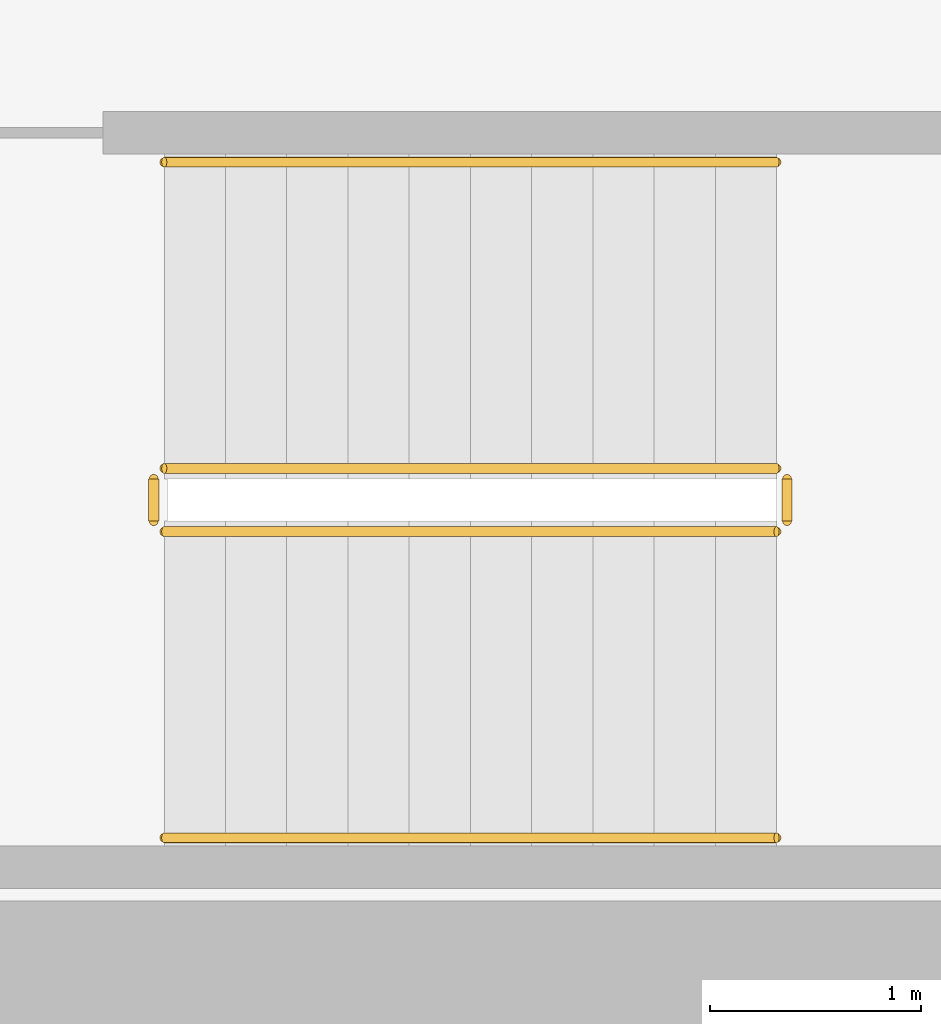
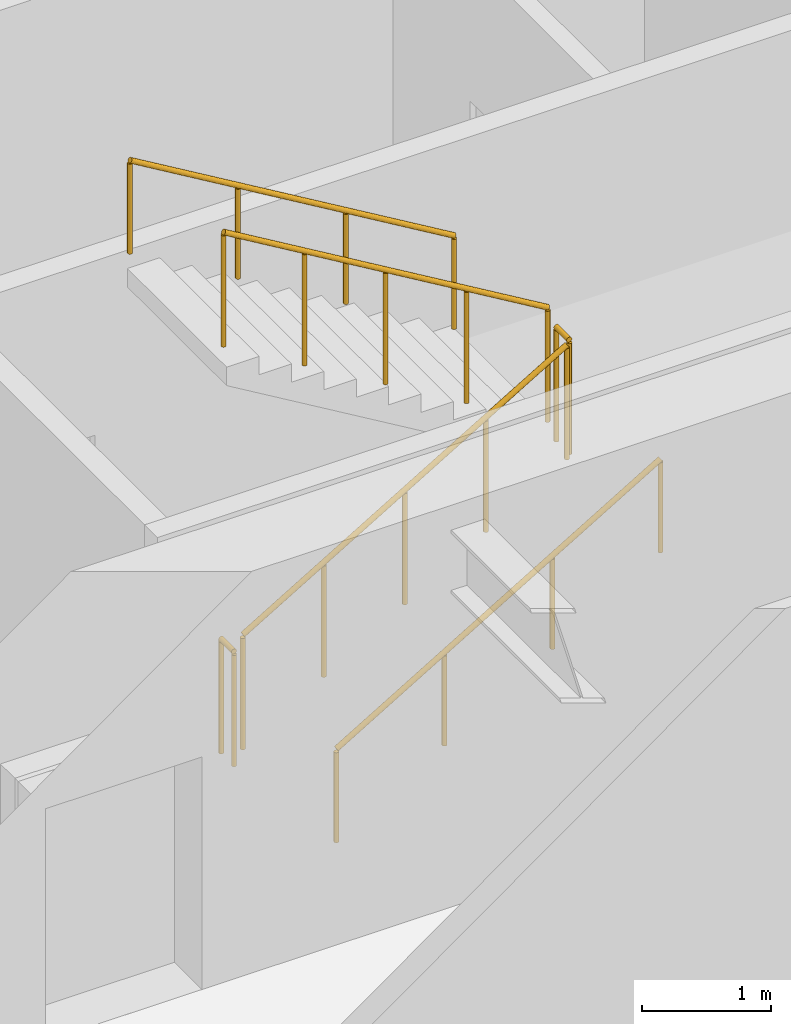
# One storey, part 19 of 20: 6 railings.
"""IFC4 building model written with IfcOpenShell, lengths in metres."""

from ifc_helpers import new_model, si_unit, direction, frame, origin, origin_2d, place, context, subcontext, project, spatial, circle, extrude, material, type_object, element, save


model = new_model("IFC4")

# Units and contexts
model_context = context("Model", 3, precision=1e-05, world=origin(), true_north=direction((0.0, 1.0)))
body_context = subcontext(model_context, "Body", "Model", "MODEL_VIEW")
ifc_project = project(units=[si_unit("LENGTHUNIT", "METRE"), si_unit("AREAUNIT", "SQUARE_METRE"), si_unit("VOLUMEUNIT", "CUBIC_METRE"), si_unit("PLANEANGLEUNIT", "RADIAN"), si_unit("MASSUNIT", "GRAM", prefix="KILO")], contexts=[model_context])

# Site, building, storey
site_placement = place(None, origin())
site = spatial("IfcSite", under=ifc_project, at=site_placement, CompositionType="ELEMENT")
building_placement = place(site_placement, origin())
building = spatial("IfcBuilding", under=site, at=building_placement, Name="Putna Gate Headquarters", CompositionType="ELEMENT")
storey_placement = place(building_placement, frame((0.0, 0.0, 89.800048828125)))
storey = spatial("IfcBuildingStorey", under=building, at=storey_placement, Name="L21", CompositionType="ELEMENT", Elevation=89.800048828125)

# Railings
ifc_material_1 = material(Name="Powder-coated steel stair guardrail", Category="steel")
railing_type_1 = type_object("IfcRailingType", Name="RAIL-STAIR-GUARD-1100", PredefinedType="GUARDRAIL", material=ifc_material_1)
railing_1_placement = place(storey_placement, frame((57.89990234375, 21.10009765625, 0.172607421875)))
element("IfcRailing", 1, at=railing_1_placement, inside=storey, type_object=railing_type_1, Name="L21 ST2 stair guard 1", PredefinedType="GUARDRAIL", context=body_context, shape_type="SweptSolid", body=[
    extrude(circle(Radius=0.02392578125, at=origin_2d()), frame((0.0, 0.0, 1.076171875), z_axis=(0.859160404282, 0.0, 0.51170636083), x_axis=(0.0, 1.0, 0.0)), (0.0, 0.0, 1.0), 3.37548828125),
    extrude(circle(Radius=0.02099609375, at=origin_2d()), origin(), (0.0, 0.0, 1.0), 1.052001953125),
    extrude(circle(Radius=0.02099609375, at=origin_2d()), frame((0.72509765625, 0.0, 0.431884765625)), (0.0, 0.0, 1.0), 1.052001953125),
    extrude(circle(Radius=0.02099609375, at=origin_2d()), frame((1.4501953125, 0.0, 0.86376953125)), (0.0, 0.0, 1.0), 1.052001953125),
    extrude(circle(Radius=0.02099609375, at=origin_2d()), frame((2.175048828125, 0.0, 1.29541015625)), (0.0, 0.0, 1.0), 1.052001953125),
    extrude(circle(Radius=0.02099609375, at=origin_2d()), frame((2.900146484375, 0.0, 1.727294921875)), (0.0, 0.0, 1.0), 1.052001953125),
])
railing_2_placement = place(storey_placement, frame((60.85009765625, 21.14990234375, 1.89990234375)))
element("IfcRailing", 2, at=railing_2_placement, inside=storey, type_object=railing_type_1, Name="L21 ST2 stair guard 2", PredefinedType="GUARDRAIL", context=body_context, shape_type="SweptSolid", body=[
    extrude(circle(Radius=0.02392578125, at=origin_2d()), frame((0.0, 0.0, 1.076171875), z_axis=(0.0, 1.0, 0.0), x_axis=(-1.0, 0.0, 0.0)), (0.0, 0.0, 1.0), 0.2001953125),
    extrude(circle(Radius=0.02099609375, at=origin_2d()), origin(), (0.0, 0.0, 1.0), 1.052001953125),
    extrude(circle(Radius=0.02099609375, at=origin_2d()), frame((0.0, 0.2001953125, 0.0)), (0.0, 0.0, 1.0), 1.052001953125),
])
railing_3_placement = place(storey_placement, frame((60.800048828125, 21.39990234375, 2.07275390625)))
element("IfcRailing", 3, at=railing_3_placement, inside=storey, type_object=railing_type_1, Name="L21 ST2 stair guard 3", PredefinedType="GUARDRAIL", context=body_context, shape_type="SweptSolid", body=[
    extrude(circle(Radius=0.02392578125, at=origin_2d()), frame((0.0, 0.0, 1.076171875), z_axis=(-0.859160404282, 0.0, 0.51170636083), x_axis=(0.0, -1.0, 0.0)), (0.0, 0.0, 1.0), 3.37548828125),
    extrude(circle(Radius=0.02099609375, at=origin_2d()), origin(), (0.0, 0.0, 1.0), 1.052001953125),
    extrude(circle(Radius=0.02099609375, at=origin_2d()), frame((-0.72509765625, 0.0, 0.431884765625)), (0.0, 0.0, 1.0), 1.052001953125),
    extrude(circle(Radius=0.02099609375, at=origin_2d()), frame((-1.4501953125, 0.0, 0.86376953125)), (0.0, 0.0, 1.0), 1.052001953125),
    extrude(circle(Radius=0.02099609375, at=origin_2d()), frame((-2.175048828125, 0.0, 1.29541015625)), (0.0, 0.0, 1.0), 1.052001953125),
    extrude(circle(Radius=0.02099609375, at=origin_2d()), frame((-2.900146484375, 0.0, 1.727294921875)), (0.0, 0.0, 1.0), 1.052001953125),
])
railing_4_placement = place(storey_placement, frame((57.85009765625, 21.14990234375, 0.0)))
element("IfcRailing", 4, at=railing_4_placement, inside=storey, type_object=railing_type_1, Name="L21 ST2 stair guard 4", PredefinedType="GUARDRAIL", context=body_context, shape_type="SweptSolid", body=[
    extrude(circle(Radius=0.02392578125, at=origin_2d()), frame((0.0, 0.0, 1.076171875), z_axis=(0.0, 1.0, 0.0), x_axis=(-1.0, 0.0, 0.0)), (0.0, 0.0, 1.0), 0.2001953125),
    extrude(circle(Radius=0.02099609375, at=origin_2d()), origin(), (0.0, 0.0, 1.0), 1.052001953125),
    extrude(circle(Radius=0.02099609375, at=origin_2d()), frame((0.0, 0.2001953125, 0.0)), (0.0, 0.0, 1.0), 1.052001953125),
])
ifc_material_2 = material(Name="Brushed stainless steel handrail", Category="steel")
railing_type_2 = type_object("IfcRailingType", Name="RAIL-STAIR-HAND-900", PredefinedType="HANDRAIL", material=ifc_material_2)
railing_5_placement = place(storey_placement, frame((57.89990234375, 19.64990234375, 0.172607421875)))
element("IfcRailing", 5, at=railing_5_placement, inside=storey, type_object=railing_type_2, Name="L21 ST2 stair handrail 1", PredefinedType="HANDRAIL", context=body_context, shape_type="SweptSolid", body=[
    extrude(circle(Radius=0.02392578125, at=origin_2d()), frame((0.0, 0.0, 0.8759765625), z_axis=(0.859160404282, 0.0, 0.51170636083), x_axis=(0.0, 1.0, 0.0)), (0.0, 0.0, 1.0), 3.37548828125),
    extrude(circle(Radius=0.02099609375, at=origin_2d()), origin(), (0.0, 0.0, 1.0), 0.851806640625),
    extrude(circle(Radius=0.02099609375, at=origin_2d()), frame((0.966796875, 0.0, 0.57568359375)), (0.0, 0.0, 1.0), 0.851806640625),
    extrude(circle(Radius=0.02099609375, at=origin_2d()), frame((1.933349609375, 0.0, 1.151611328125)), (0.0, 0.0, 1.0), 0.851806640625),
    extrude(circle(Radius=0.02099609375, at=origin_2d()), frame((2.900146484375, 0.0, 1.727294921875)), (0.0, 0.0, 1.0), 0.851806640625),
])
railing_6_placement = place(storey_placement, frame((60.800048828125, 22.85009765625, 2.07275390625)))
element("IfcRailing", 6, at=railing_6_placement, inside=storey, type_object=railing_type_2, Name="L21 ST2 stair handrail 2", PredefinedType="HANDRAIL", context=body_context, shape_type="SweptSolid", body=[
    extrude(circle(Radius=0.02392578125, at=origin_2d()), frame((0.0, 0.0, 0.8759765625), z_axis=(-0.859160404282, 0.0, 0.51170636083), x_axis=(0.0, -1.0, 0.0)), (0.0, 0.0, 1.0), 3.37548828125),
    extrude(circle(Radius=0.02099609375, at=origin_2d()), origin(), (0.0, 0.0, 1.0), 0.851806640625),
    extrude(circle(Radius=0.02099609375, at=origin_2d()), frame((-0.966796875, 0.0, 0.57568359375)), (0.0, 0.0, 1.0), 0.851806640625),
    extrude(circle(Radius=0.02099609375, at=origin_2d()), frame((-1.933349609375, 0.0, 1.151611328125)), (0.0, 0.0, 1.0), 0.851806640625),
    extrude(circle(Radius=0.02099609375, at=origin_2d()), frame((-2.900146484375, 0.0, 1.727294921875)), (0.0, 0.0, 1.0), 0.851806640625),
])

save(model, "model.ifc")
